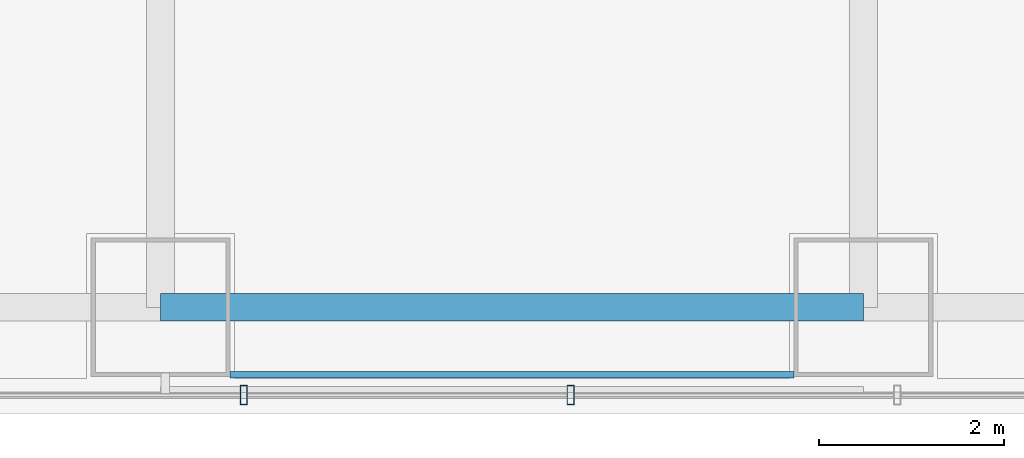
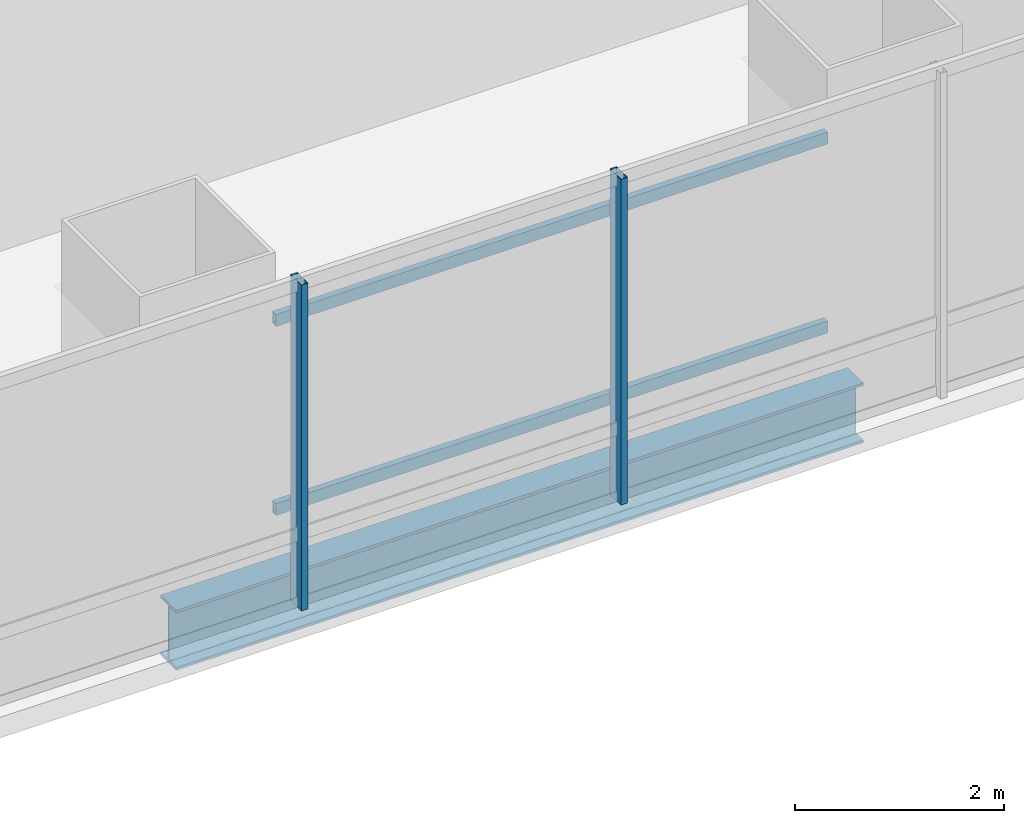
# One storey, part 5 of 34: 4 members, 1 beam, 1 element without a shape of its own.
"""IFC4 building model written with IfcOpenShell, lengths in metres."""

from ifc_helpers import new_model, si_unit, direction, frame, origin, origin_2d, place, context, subcontext, project, spatial, hollow_rectangle, i_section, extrude, material, material_profile, profile_set, type_object, element, aggregate, save


model = new_model("IFC4")

# Units and contexts
model_context = context("Model", 3, precision=1e-05, world=origin(), true_north=direction((0.0, 1.0)))
body_context = subcontext(model_context, "Body", "Model", "MODEL_VIEW")
ifc_project = project(units=[si_unit("LENGTHUNIT", "METRE"), si_unit("AREAUNIT", "SQUARE_METRE"), si_unit("VOLUMEUNIT", "CUBIC_METRE"), si_unit("PLANEANGLEUNIT", "RADIAN"), si_unit("MASSUNIT", "GRAM", prefix="KILO")], contexts=[model_context])

# Site, building, storey
site_placement = place(None, origin())
site = spatial("IfcSite", under=ifc_project, at=site_placement, CompositionType="ELEMENT")
building_placement = place(site_placement, origin())
building = spatial("IfcBuilding", under=site, at=building_placement, Name="Punatoya Terracotta Tower", CompositionType="ELEMENT")
storey_placement = place(building_placement, frame((0.0, 0.0, 101.10009765625)))
storey = spatial("IfcBuildingStorey", under=building, at=storey_placement, Name="L23", CompositionType="ELEMENT", Elevation=101.10009765625)

# Beam
ifc_material_1 = material(Name="Steel S355", Category="steel")
ifc_material_profile_1 = material_profile(ifc_material_1, i_section(OverallWidth=0.300048828125, OverallDepth=0.699951171875, WebThickness=0.01708984375, FlangeThickness=0.031982421875, FilletRadius=0.01806640625, at=origin_2d()))
ifc_profile_set_1 = profile_set([ifc_material_profile_1], Name="Steel S355")
beam_type = type_object("IfcBeamType", Name="BM-PRI-700", PredefinedType="BEAM", material=ifc_profile_set_1)
beam_placement = place(storey_placement, frame((-3.800048828125, -17.5, -0.590087890625), z_axis=(1.0, 0.0, 0.0), x_axis=(0.0, 1.0, 0.0)))
element("IfcBeam", 1, at=beam_placement, inside=storey, type_object=beam_type, Name="BM-L23-RG-S2", PredefinedType="BEAM", context=body_context, shape_type="SweptSolid", body=[
    extrude(i_section(OverallWidth=0.300048828125, OverallDepth=0.699951171875, WebThickness=0.01708984375, FlangeThickness=0.031982421875, FilletRadius=0.01806640625, at=origin_2d()), origin(), (0.0, 0.0, 1.0), 7.60009765625),
])

# Curtain wall, members
ifc_material_2 = material(Name="Aluminium 6063-T6 + Double Low-E Glass", Category="aluminium")
curtain_wall_type = type_object("IfcCurtainWallType", Name="CW-M1", PredefinedType="NOTDEFINED", material=ifc_material_2)
curtain_wall_placement = place(storey_placement, origin())
curtain_wall = element("IfcCurtainWall", 2, at=curtain_wall_placement, inside=storey, type_object=curtain_wall_type, Name="L23 Curtain Wall CW-L23-S01-1", PredefinedType="NOTDEFINED")
ifc_material_3 = material(Name="Aluminium 6063-T6", Category="aluminium")
ifc_material_profile_2 = material_profile(ifc_material_3, hollow_rectangle(XDim=0.074951171875, YDim=0.2099609375, WallThickness=0.00439453125, at=origin_2d()))
ifc_profile_set_2 = profile_set([ifc_material_profile_2], Name="Aluminium 6063-T6")
member_type_1 = type_object("IfcMemberType", Name="CW-MUL-M1", PredefinedType="MULLION", material=ifc_profile_set_2)
member_1_placement = place(storey_placement, frame((-2.90087890625, -18.449951171875, 0.0), z_axis=(0.0, 0.0, 1.0), x_axis=(1.0, 0.0, 0.0)))
member_1 = element("IfcMember", 3, at=member_1_placement, type_object=member_type_1, Name="CW-L23-S01-1 Mullion 04", PredefinedType="MULLION", context=body_context, shape_type="SweptSolid", body=[
    extrude(hollow_rectangle(XDim=0.074951171875, YDim=0.2099609375, WallThickness=0.00439453125, at=origin_2d()), origin(), (0.0, 0.0, 1.0), 3.809814453125),
])
member_2_placement = place(storey_placement, frame((0.633056640625, -18.449951171875, 0.0), z_axis=(0.0, 0.0, 1.0), x_axis=(1.0, 0.0, 0.0)))
member_2 = element("IfcMember", 4, at=member_2_placement, type_object=member_type_1, Name="CW-L23-S01-1 Mullion 05", PredefinedType="MULLION", context=body_context, shape_type="SweptSolid", body=[
    extrude(hollow_rectangle(XDim=0.074951171875, YDim=0.2099609375, WallThickness=0.00439453125, at=origin_2d()), origin(), (0.0, 0.0, 1.0), 3.809814453125),
])
aggregate(curtain_wall, [member_1, member_2])

# Members
ifc_material_profile_3 = material_profile(ifc_material_1, hollow_rectangle(XDim=0.070068359375, YDim=0.139892578125, WallThickness=0.006103515625, at=origin_2d()))
ifc_profile_set_3 = profile_set([ifc_material_profile_3], Name="Steel S355")
member_type_2 = type_object("IfcMemberType", Name="MEM-BAG-RAIL", PredefinedType="USERDEFINED", material=ifc_profile_set_3)
for number, where, z_axis, x_axis, name in (
    (5, (-3.050537109375, -18.23193359375, 1.0498046875), (1.0, 0.0, 0.0), (0.0, 1.0, 0.0), "L23 Terracotta Baguette Carrier Rail BAG-L23-S-R1"),
    (6, (-3.050537109375, -18.23193359375, 3.260009765625), (1.0, 0.0, 0.0), (0.0, 1.0, 0.0), "L23 Terracotta Baguette Carrier Rail BAG-L23-S-R2"),
):
    element("IfcMember", number, at=place(storey_placement, frame(where, z_axis=z_axis, x_axis=x_axis)), inside=storey, type_object=member_type_2, Name=name, ObjectType="BAGUETTE", PredefinedType="USERDEFINED", context=body_context, shape_type="SweptSolid", body=[
        extrude(hollow_rectangle(XDim=0.070068359375, YDim=0.139892578125, WallThickness=0.006103515625, at=origin_2d()), origin(), (0.0, 0.0, 1.0), 6.10107421875),
    ])

save(model, "model.ifc")
